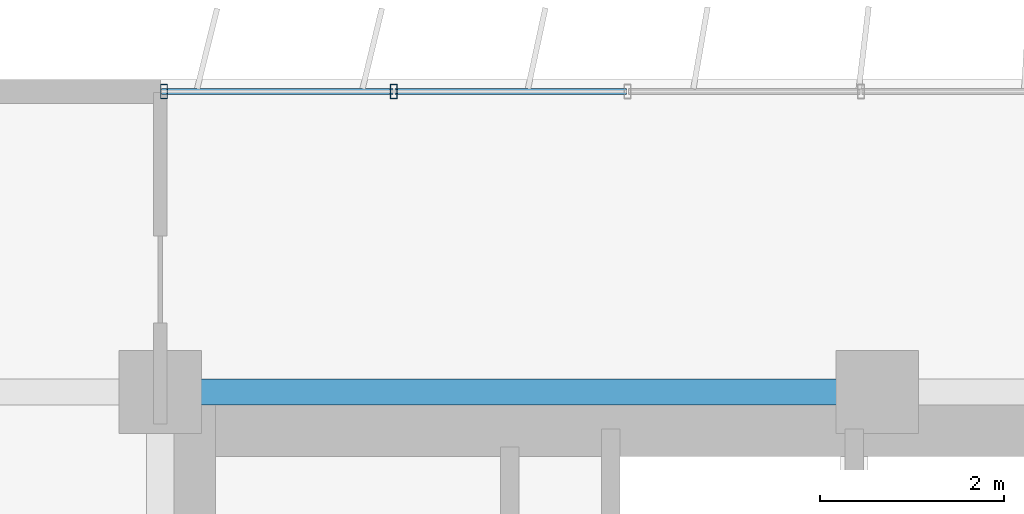
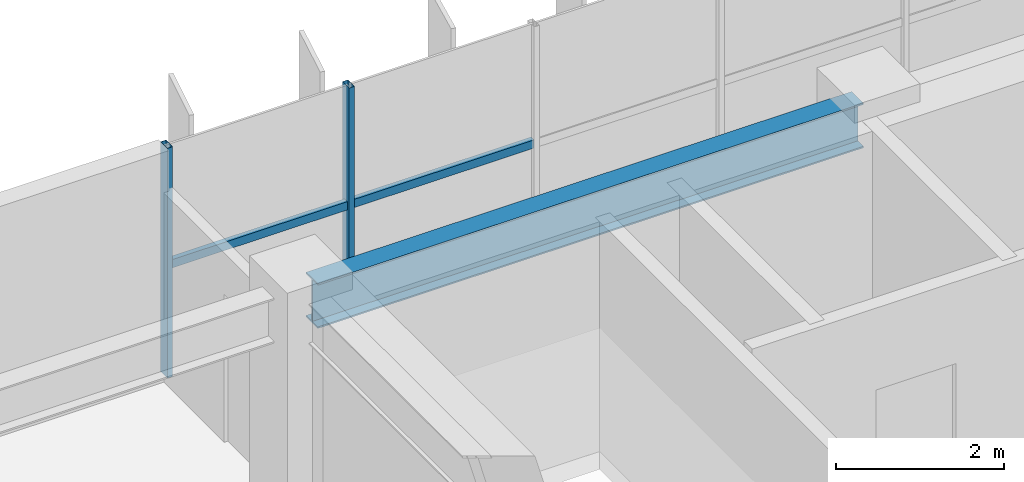
# One storey, part 5 of 22: 4 members, 1 beam, 1 element without a shape of its own.
"""IFC4 building model written with IfcOpenShell, lengths in metres."""

from ifc_helpers import new_model, si_unit, direction, frame, origin, origin_2d, place, context, subcontext, project, spatial, hollow_rectangle, i_section, extrude, source, transform, mapped, material, material_profile, profile_set, type_object, element, aggregate, save


model = new_model("IFC4")

# Units and contexts
model_context = context("Model", 3, precision=1e-05, world=origin(), true_north=direction((0.0, 1.0)))
body_context = subcontext(model_context, "Body", "Model", "MODEL_VIEW")
ifc_project = project(units=[si_unit("LENGTHUNIT", "METRE"), si_unit("AREAUNIT", "SQUARE_METRE"), si_unit("VOLUMEUNIT", "CUBIC_METRE"), si_unit("PLANEANGLEUNIT", "RADIAN"), si_unit("MASSUNIT", "GRAM", prefix="KILO")], contexts=[model_context])

# Site, building, storey
site_placement = place(None, origin())
site = spatial("IfcSite", under=ifc_project, at=site_placement, CompositionType="ELEMENT")
building_placement = place(site_placement, origin())
building = spatial("IfcBuilding", under=site, at=building_placement, Name="Trelvane Seafront Commons", CompositionType="ELEMENT")
storey_placement = place(building_placement, frame((0.0, 0.0, 48.699951171875)))
storey = spatial("IfcBuildingStorey", under=building, at=storey_placement, Name="L12", CompositionType="ELEMENT", Elevation=48.699951171875)

# Beam
ifc_material_1 = material(Name="Steel SM355 (S355)", Category="steel")
ifc_material_profile_1 = material_profile(ifc_material_1, i_section(OverallWidth=0.280029296875, OverallDepth=0.64990234375, WebThickness=0.012939453125, FlangeThickness=0.02197265625, at=origin_2d()), Name="H-650x280x13x22")
ifc_profile_set_1 = profile_set([ifc_material_profile_1], Name="Steel SM355 (S355)")
beam_type = type_object("IfcBeamType", Name="STR-BM-H650", PredefinedType="BEAM", material=ifc_profile_set_1)
shared_shape_1 = source(origin(), body_context, "Body", "SweptSolid", [
    extrude(i_section(OverallWidth=0.280029296875, OverallDepth=0.64990234375, WebThickness=0.012939453125, FlangeThickness=0.02197265625, at=origin_2d()), origin(), (0.0, 0.0, 1.0), 7.5),
])
beam_placement = place(storey_placement, frame((15.75, 45.10009765625, 3.01513671875), z_axis=(1.0, 0.0, 0.0), x_axis=(0.0, 1.0, 0.0)))
element("IfcBeam", 1, at=beam_placement, inside=storey, type_object=beam_type, Name="L12 Primary Girder G-30", PredefinedType="BEAM", context=body_context, shape_type="MappedRepresentation", body=[
    mapped(shared_shape_1, transform((0.0, 0.0, 0.0), x_axis=(1.0, 0.0, 0.0), y_axis=(0.0, 1.0, 0.0), z_axis=(0.0, 0.0, 1.0), scale=1.0)),
])

# Curtain wall, members
ifc_material_2 = material(Name="Anodised pale-silver aluminium", Category="aluminium")
curtain_wall_type = type_object("IfcCurtainWallType", Name="ARCH-CW2-LOWTOWER", PredefinedType="NOTDEFINED", material=ifc_material_2)
curtain_wall_placement = place(storey_placement, origin())
curtain_wall = element("IfcCurtainWall", 2, at=curtain_wall_placement, inside=storey, type_object=curtain_wall_type, Name="CW-L12-0036", PredefinedType="NOTDEFINED")
ifc_material_profile_2 = material_profile(ifc_material_2, hollow_rectangle(XDim=0.074951171875, YDim=0.159912109375, WallThickness=0.00390625, at=origin_2d()), Name="MULL-75x160x4")
ifc_profile_set_2 = profile_set([ifc_material_profile_2], Name="Anodised pale-silver aluminium")
member_type_1 = type_object("IfcMemberType", Name="ARCH-CW-MULL-160", PredefinedType="MULLION", material=ifc_profile_set_2)
shared_shape_2 = source(origin(), body_context, "Body", "SweptSolid", [
    extrude(hollow_rectangle(XDim=0.074951171875, YDim=0.159912109375, WallThickness=0.00390625, at=origin_2d()), origin(), (0.0, 0.0, 1.0), 3.340087890625),
])
member_1_placement = place(storey_placement, frame((15.639892578125, 48.3701171875, 0.0), z_axis=(0.0, 0.0, 1.0), x_axis=(1.0, 0.0, 0.0)))
member_1 = element("IfcMember", 3, at=member_1_placement, type_object=member_type_1, Name="CW-L12-0036-M00", PredefinedType="MULLION", context=body_context, shape_type="MappedRepresentation", body=[
    mapped(shared_shape_2, transform((0.0, 0.0, 0.0), x_axis=(1.0, 0.0, 0.0), y_axis=(0.0, 1.0, 0.0), z_axis=(0.0, 0.0, 1.0), scale=1.0)),
])
member_2_placement = place(storey_placement, frame((18.14111328125, 48.3701171875, 0.0), z_axis=(0.0, 0.0, 1.0), x_axis=(1.0, 0.0, 0.0)))
member_2 = element("IfcMember", 4, at=member_2_placement, type_object=member_type_1, Name="CW-L12-0036-M01", PredefinedType="MULLION", context=body_context, shape_type="MappedRepresentation", body=[
    mapped(shared_shape_2, transform((0.0, 0.0, 0.0), x_axis=(1.0, 0.0, 0.0), y_axis=(0.0, 1.0, 0.0), z_axis=(0.0, 0.0, 1.0), scale=1.0)),
])
ifc_material_profile_3 = material_profile(ifc_material_2, hollow_rectangle(XDim=0.070068359375, YDim=0.1201171875, WallThickness=0.00390625, at=origin_2d()), Name="TRAN-70x120x4")
ifc_profile_set_3 = profile_set([ifc_material_profile_3], Name="Anodised pale-silver aluminium")
member_type_2 = type_object("IfcMemberType", Name="ARCH-CW-TRAN-120", PredefinedType="USERDEFINED", material=ifc_profile_set_3)
shared_shape_3 = source(origin(), body_context, "Body", "SweptSolid", [
    extrude(hollow_rectangle(XDim=0.070068359375, YDim=0.1201171875, WallThickness=0.00390625, at=origin_2d()), origin(), (0.0, 0.0, 1.0), 2.51708984375),
])
member_3_placement = place(storey_placement, frame((15.612060546875, 48.3701171875, 1.60302734375), z_axis=(1.0, 0.0, 0.0), x_axis=(0.0, 1.0, 0.0)))
member_3 = element("IfcMember", 5, at=member_3_placement, type_object=member_type_2, Name="CW-L12-0036-T00", ObjectType="TRANSOM", PredefinedType="USERDEFINED", context=body_context, shape_type="MappedRepresentation", body=[
    mapped(shared_shape_3, transform((0.0, 0.0, 0.0), x_axis=(1.0, 0.0, 0.0), y_axis=(0.0, 1.0, 0.0), z_axis=(0.0, 0.0, 1.0), scale=1.0)),
])
member_4_placement = place(storey_placement, frame((18.1533203125, 48.3701171875, 1.60302734375), z_axis=(1.0, 0.0, 0.0), x_axis=(0.0, 1.0, 0.0)))
member_4 = element("IfcMember", 6, at=member_4_placement, type_object=member_type_2, Name="CW-L12-0036-T01", ObjectType="TRANSOM", PredefinedType="USERDEFINED", context=body_context, shape_type="MappedRepresentation", body=[
    mapped(shared_shape_3, transform((0.0, 0.0, 0.0), x_axis=(1.0, 0.0, 0.0), y_axis=(0.0, 1.0, 0.0), z_axis=(0.0, 0.0, 1.0), scale=1.0)),
])
aggregate(curtain_wall, [member_1, member_2, member_3, member_4])

save(model, "model.ifc")
